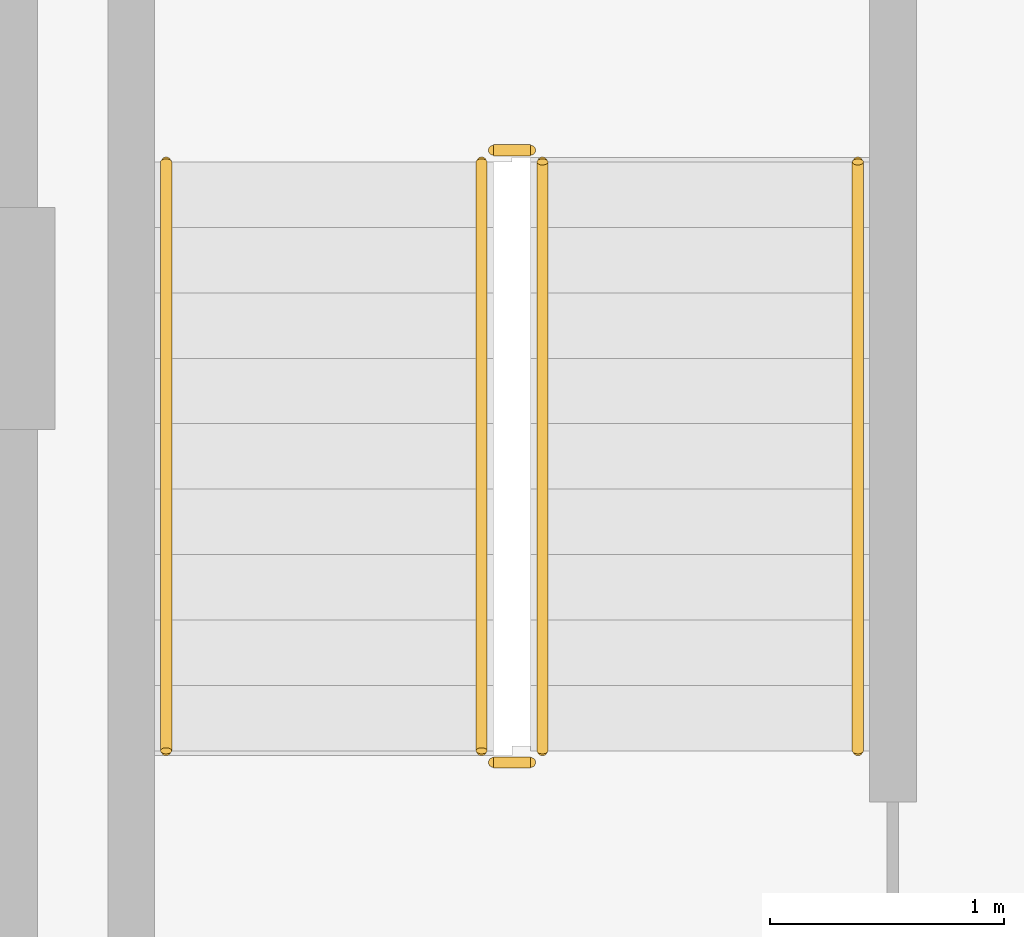
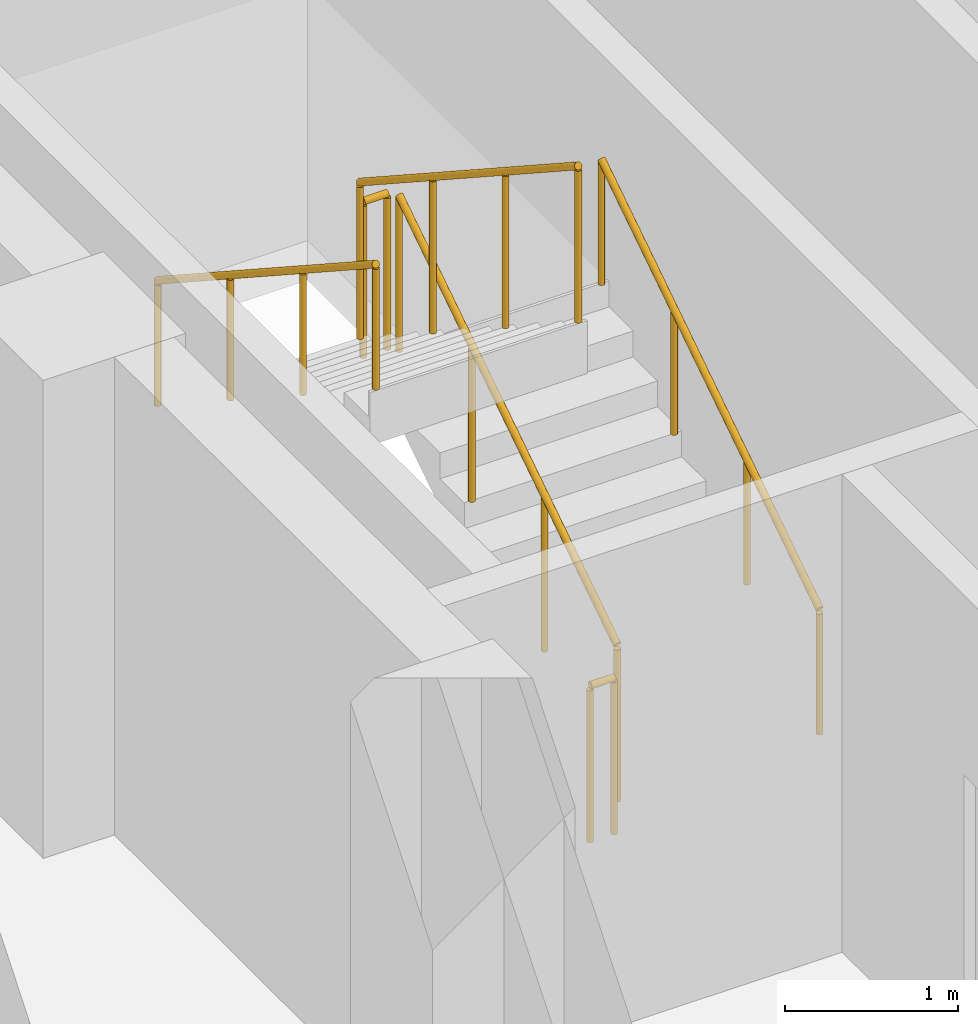
# One storey, part 11 of 13: 6 railings.
"""IFC4 building model written with IfcOpenShell, lengths in metres."""

from ifc_helpers import new_model, si_unit, direction, frame, origin, origin_2d, place, context, subcontext, project, spatial, circle, extrude, material, type_object, element, save


model = new_model("IFC4")

# Units and contexts
model_context = context("Model", 3, precision=1e-05, world=origin(), true_north=direction((0.0, 1.0)))
body_context = subcontext(model_context, "Body", "Model", "MODEL_VIEW")
ifc_project = project(units=[si_unit("LENGTHUNIT", "METRE"), si_unit("AREAUNIT", "SQUARE_METRE"), si_unit("VOLUMEUNIT", "CUBIC_METRE"), si_unit("PLANEANGLEUNIT", "RADIAN"), si_unit("MASSUNIT", "GRAM", prefix="KILO")], contexts=[model_context])

# Site, building, storey
site_placement = place(None, origin())
site = spatial("IfcSite", under=ifc_project, at=site_placement, CompositionType="ELEMENT")
building_placement = place(site_placement, origin())
building = spatial("IfcBuilding", under=site, at=building_placement, Name="Nuvemarco Arch Tower", CompositionType="ELEMENT")
storey_placement = place(building_placement, frame((0.0, 0.0, 149.39990234375)))
storey = spatial("IfcBuildingStorey", under=building, at=storey_placement, Name="L39", CompositionType="ELEMENT", Elevation=149.39990234375)

# Railings
ifc_material_1 = material(Name="Brushed stainless steel handrail", Category="steel")
railing_type_1 = type_object("IfcRailingType", Name="RL-HANDRAIL-900", PredefinedType="HANDRAIL", material=ifc_material_1)
railing_1_placement = place(storey_placement, frame((-13.590087890625, 2.64990234375, 0.1826171875)))
element("IfcRailing", 1, at=railing_1_placement, inside=storey, type_object=railing_type_1, Name="L39 ST-1 stair handrail 1", PredefinedType="HANDRAIL", context=body_context, shape_type="SweptSolid", body=[
    extrude(circle(Radius=0.02392578125, at=origin_2d()), frame((0.0, 0.0, 0.8759765625), z_axis=(0.0, 0.837749427056, 0.546054848405), x_axis=(-1.0, 0.0, 0.0)), (0.0, 0.0, 1.0), 3.008056640625),
    extrude(circle(Radius=0.02099609375, at=origin_2d()), origin(), (0.0, 0.0, 1.0), 0.851806640625),
    extrude(circle(Radius=0.02099609375, at=origin_2d()), frame((0.0, 0.840087890625, 0.547607421875)), (0.0, 0.0, 1.0), 0.851806640625),
    extrude(circle(Radius=0.02099609375, at=origin_2d()), frame((0.0, 1.679931640625, 1.094970703125)), (0.0, 0.0, 1.0), 0.851806640625),
    extrude(circle(Radius=0.02099609375, at=origin_2d()), frame((0.0, 2.52001953125, 1.642578125)), (0.0, 0.0, 1.0), 0.851806640625),
])
railing_2_placement = place(storey_placement, frame((-16.550048828125, 5.169921875, 2.007568359375)))
element("IfcRailing", 2, at=railing_2_placement, inside=storey, type_object=railing_type_1, Name="L39 ST-1 stair handrail 2", PredefinedType="HANDRAIL", context=body_context, shape_type="SweptSolid", body=[
    extrude(circle(Radius=0.02392578125, at=origin_2d()), frame((0.0, 0.0, 0.8759765625), z_axis=(0.0, -0.837749427056, 0.546054848405), x_axis=(1.0, 0.0, 0.0)), (0.0, 0.0, 1.0), 3.008056640625),
    extrude(circle(Radius=0.02099609375, at=origin_2d()), origin(), (0.0, 0.0, 1.0), 0.851806640625),
    extrude(circle(Radius=0.02099609375, at=origin_2d()), frame((0.0, -0.840087890625, 0.547607421875)), (0.0, 0.0, 1.0), 0.851806640625),
    extrude(circle(Radius=0.02099609375, at=origin_2d()), frame((0.0, -1.679931640625, 1.094970703125)), (0.0, 0.0, 1.0), 0.851806640625),
    extrude(circle(Radius=0.02099609375, at=origin_2d()), frame((0.0, -2.52001953125, 1.642578125)), (0.0, 0.0, 1.0), 0.851806640625),
])
ifc_material_2 = material(Name="Painted balustrade steel S355", Category="steel")
railing_type_2 = type_object("IfcRailingType", Name="RL-STAIR-GUARD", PredefinedType="GUARDRAIL", material=ifc_material_2)
railing_3_placement = place(storey_placement, frame((-14.93994140625, 2.64990234375, 0.1826171875)))
element("IfcRailing", 3, at=railing_3_placement, inside=storey, type_object=railing_type_2, Name="L39 ST-1 stair guard 1", PredefinedType="GUARDRAIL", context=body_context, shape_type="SweptSolid", body=[
    extrude(circle(Radius=0.02392578125, at=origin_2d()), frame((0.0, 0.0, 1.09619140625), z_axis=(0.0, 0.837749427056, 0.546054848405), x_axis=(-1.0, 0.0, 0.0)), (0.0, 0.0, 1.0), 3.008056640625),
    extrude(circle(Radius=0.02099609375, at=origin_2d()), origin(), (0.0, 0.0, 1.0), 1.072021484375),
    extrude(circle(Radius=0.02099609375, at=origin_2d()), frame((0.0, 0.840087890625, 0.547607421875)), (0.0, 0.0, 1.0), 1.072021484375),
    extrude(circle(Radius=0.02099609375, at=origin_2d()), frame((0.0, 1.679931640625, 1.094970703125)), (0.0, 0.0, 1.0), 1.072021484375),
    extrude(circle(Radius=0.02099609375, at=origin_2d()), frame((0.0, 2.52001953125, 1.642578125)), (0.0, 0.0, 1.0), 1.072021484375),
])
railing_4_placement = place(storey_placement, frame((-14.989990234375, 5.219970703125, 1.8251953125)))
element("IfcRailing", 4, at=railing_4_placement, inside=storey, type_object=railing_type_2, Name="L39 ST-1 stair guard 2", PredefinedType="GUARDRAIL", context=body_context, shape_type="SweptSolid", body=[
    extrude(circle(Radius=0.02392578125, at=origin_2d()), frame((0.0, 0.0, 1.09619140625), z_axis=(-1.0, 0.0, 0.0), x_axis=(0.0, -1.0, 0.0)), (0.0, 0.0, 1.0), 0.159912109375),
    extrude(circle(Radius=0.02099609375, at=origin_2d()), origin(), (0.0, 0.0, 1.0), 1.072021484375),
    extrude(circle(Radius=0.02099609375, at=origin_2d()), frame((-0.159912109375, 0.0, 0.0)), (0.0, 0.0, 1.0), 1.072021484375),
])
railing_5_placement = place(storey_placement, frame((-15.199951171875, 5.169921875, 2.007568359375)))
element("IfcRailing", 5, at=railing_5_placement, inside=storey, type_object=railing_type_2, Name="L39 ST-1 stair guard 3", PredefinedType="GUARDRAIL", context=body_context, shape_type="SweptSolid", body=[
    extrude(circle(Radius=0.02392578125, at=origin_2d()), frame((0.0, 0.0, 1.09619140625), z_axis=(0.0, -0.837749427056, 0.546054848405), x_axis=(1.0, 0.0, 0.0)), (0.0, 0.0, 1.0), 3.008056640625),
    extrude(circle(Radius=0.02099609375, at=origin_2d()), origin(), (0.0, 0.0, 1.0), 1.072021484375),
    extrude(circle(Radius=0.02099609375, at=origin_2d()), frame((0.0, -0.840087890625, 0.547607421875)), (0.0, 0.0, 1.0), 1.072021484375),
    extrude(circle(Radius=0.02099609375, at=origin_2d()), frame((0.0, -1.679931640625, 1.094970703125)), (0.0, 0.0, 1.0), 1.072021484375),
    extrude(circle(Radius=0.02099609375, at=origin_2d()), frame((0.0, -2.52001953125, 1.642578125)), (0.0, 0.0, 1.0), 1.072021484375),
])
railing_6_placement = place(storey_placement, frame((-14.989990234375, 2.60009765625, 0.0)))
element("IfcRailing", 6, at=railing_6_placement, inside=storey, type_object=railing_type_2, Name="L39 ST-1 stair guard 4", PredefinedType="GUARDRAIL", context=body_context, shape_type="SweptSolid", body=[
    extrude(circle(Radius=0.02392578125, at=origin_2d()), frame((0.0, 0.0, 1.09619140625), z_axis=(-1.0, 0.0, 0.0), x_axis=(0.0, -1.0, 0.0)), (0.0, 0.0, 1.0), 0.159912109375),
    extrude(circle(Radius=0.02099609375, at=origin_2d()), origin(), (0.0, 0.0, 1.0), 1.072021484375),
    extrude(circle(Radius=0.02099609375, at=origin_2d()), frame((-0.159912109375, 0.0, 0.0)), (0.0, 0.0, 1.0), 1.072021484375),
])

save(model, "model.ifc")
